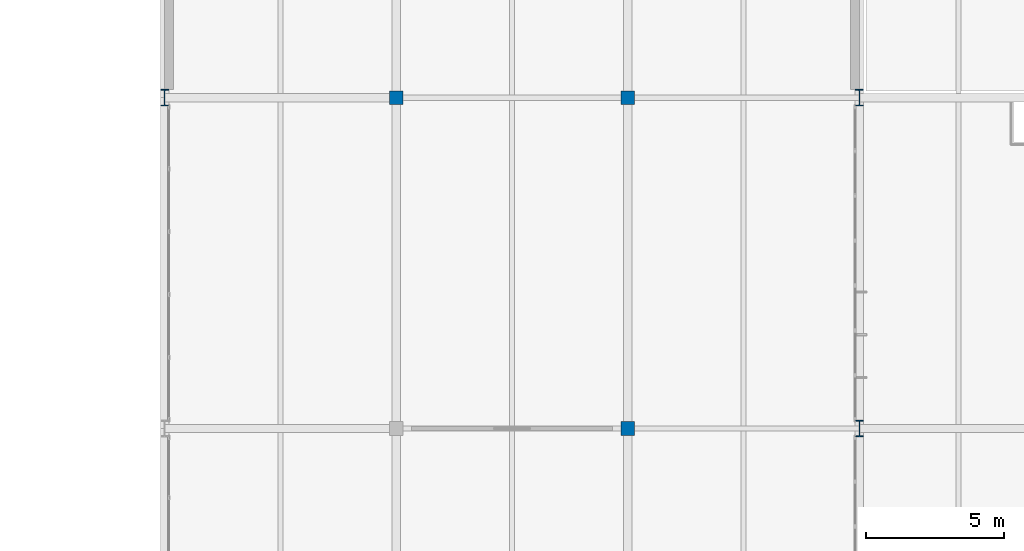
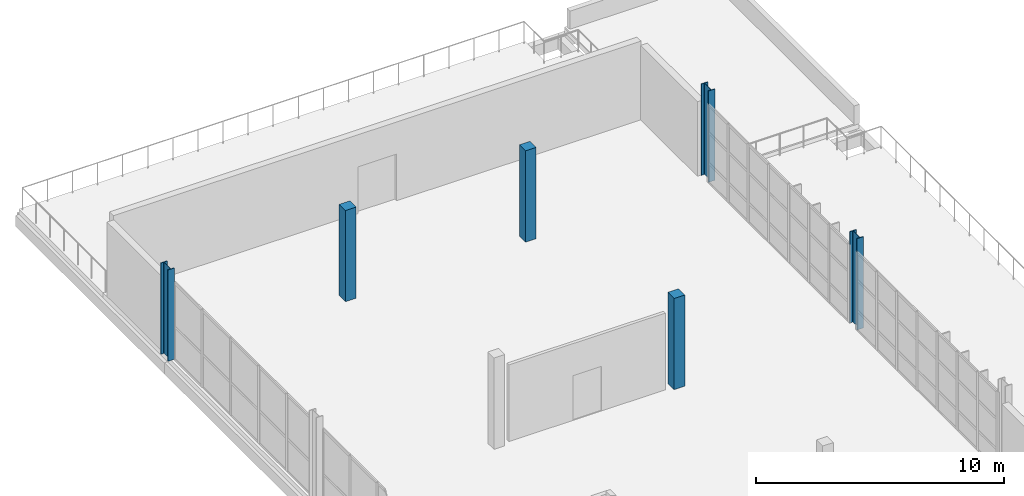
# One storey, part 10 of 109: 6 columns.
"""IFC4 building model written with IfcOpenShell, lengths in metres."""

from ifc_helpers import new_model, si_unit, direction, frame, origin, origin_2d, place, context, subcontext, project, spatial, rectangle, i_section, extrude, material, material_profile, profile_set, type_object, element, save


model = new_model("IFC4")

# Units and contexts
model_context = context("Model", 3, precision=1e-05, world=origin(), true_north=direction((0.0, 1.0)))
body_context = subcontext(model_context, "Body", "Model", "MODEL_VIEW")
ifc_project = project(units=[si_unit("LENGTHUNIT", "METRE"), si_unit("AREAUNIT", "SQUARE_METRE"), si_unit("VOLUMEUNIT", "CUBIC_METRE"), si_unit("PLANEANGLEUNIT", "RADIAN"), si_unit("MASSUNIT", "GRAM", prefix="KILO")], contexts=[model_context])

# Site, building, storey
site_placement = place(None, origin())
site = spatial("IfcSite", under=ifc_project, at=site_placement, CompositionType="ELEMENT")
building_placement = place(site_placement, origin())
building = spatial("IfcBuilding", under=site, at=building_placement, Name="Veltarok Museum of Natural Sciences", CompositionType="ELEMENT")
storey_placement = place(building_placement, frame((0.0, 0.0, 17.39990234375)))
storey = spatial("IfcBuildingStorey", under=building, at=storey_placement, Name="L03", CompositionType="ELEMENT", Elevation=17.39990234375)

# Columns
ifc_material_1 = material(Name="Steel S355J2", Category="steel")
ifc_material_profile_1 = material_profile(ifc_material_1, i_section(OverallWidth=0.300048828125, OverallDepth=0.60009765625, WebThickness=0.015380859375, FlangeThickness=0.030029296875, FilletRadius=0.027099609375, at=origin_2d()), Name="HEB 600")
ifc_profile_set_1 = profile_set([ifc_material_profile_1], Name="Steel S355J2")
column_type_1 = type_object("IfcColumnType", Name="Perimeter Passage Column HEB 600", PredefinedType="COLUMN", material=ifc_profile_set_1)
for number, where, z_axis, x_axis, name in (
    (1, (132.39990234375, 60.0, 0.0), (0.0, 0.0, 1.0), (1.0, 0.0, 0.0), "Column COL-EXT02 L03 16/G"),
    (2, (157.60009765625, 48.0, 0.0), (0.0, 0.0, 1.0), (1.0, 0.0, 0.0), "Column COL-EXT02 L03 19/F"),
    (3, (157.60009765625, 60.0, 0.0), (0.0, 0.0, 1.0), (1.0, 0.0, 0.0), "Column COL-EXT02 L03 19/G"),
):
    element("IfcColumn", number, at=place(storey_placement, frame(where, z_axis=z_axis, x_axis=x_axis)), inside=storey, type_object=column_type_1, Name=name, PredefinedType="COLUMN", context=body_context, shape_type="SweptSolid", body=[
        extrude(i_section(OverallWidth=0.300048828125, OverallDepth=0.60009765625, WebThickness=0.015380859375, FlangeThickness=0.030029296875, FilletRadius=0.027099609375, at=origin_2d()), origin(), (0.0, 0.0, 1.0), 4.5),
    ])
ifc_material_2 = material(Name="Concrete C40/50", Category="concrete")
ifc_material_profile_2 = material_profile(ifc_material_2, rectangle(XDim=0.5, YDim=0.5, at=origin_2d()), Name="RC 500x500")
ifc_profile_set_2 = profile_set([ifc_material_profile_2], Name="Concrete C40/50")
column_type_2 = type_object("IfcColumnType", Name="Upper Lab Column RC 500x500", PredefinedType="COLUMN", material=ifc_profile_set_2)
for number, where, z_axis, x_axis, name in (
    (4, (140.800048828125, 60.0, 0.0), (0.0, 0.0, 1.0), (1.0, 0.0, 0.0), "Column COL-RC03 L03 17/G"),
    (5, (149.199951171875, 48.0, 0.0), (0.0, 0.0, 1.0), (1.0, 0.0, 0.0), "Column COL-RC03 L03 18/F"),
    (6, (149.199951171875, 60.0, 0.0), (0.0, 0.0, 1.0), (1.0, 0.0, 0.0), "Column COL-RC03 L03 18/G"),
):
    element("IfcColumn", number, at=place(storey_placement, frame(where, z_axis=z_axis, x_axis=x_axis)), inside=storey, type_object=column_type_2, Name=name, PredefinedType="COLUMN", context=body_context, shape_type="SweptSolid", body=[
        extrude(rectangle(XDim=0.5, YDim=0.5, at=origin_2d()), origin(), (0.0, 0.0, 1.0), 4.5),
    ])

save(model, "model.ifc")
